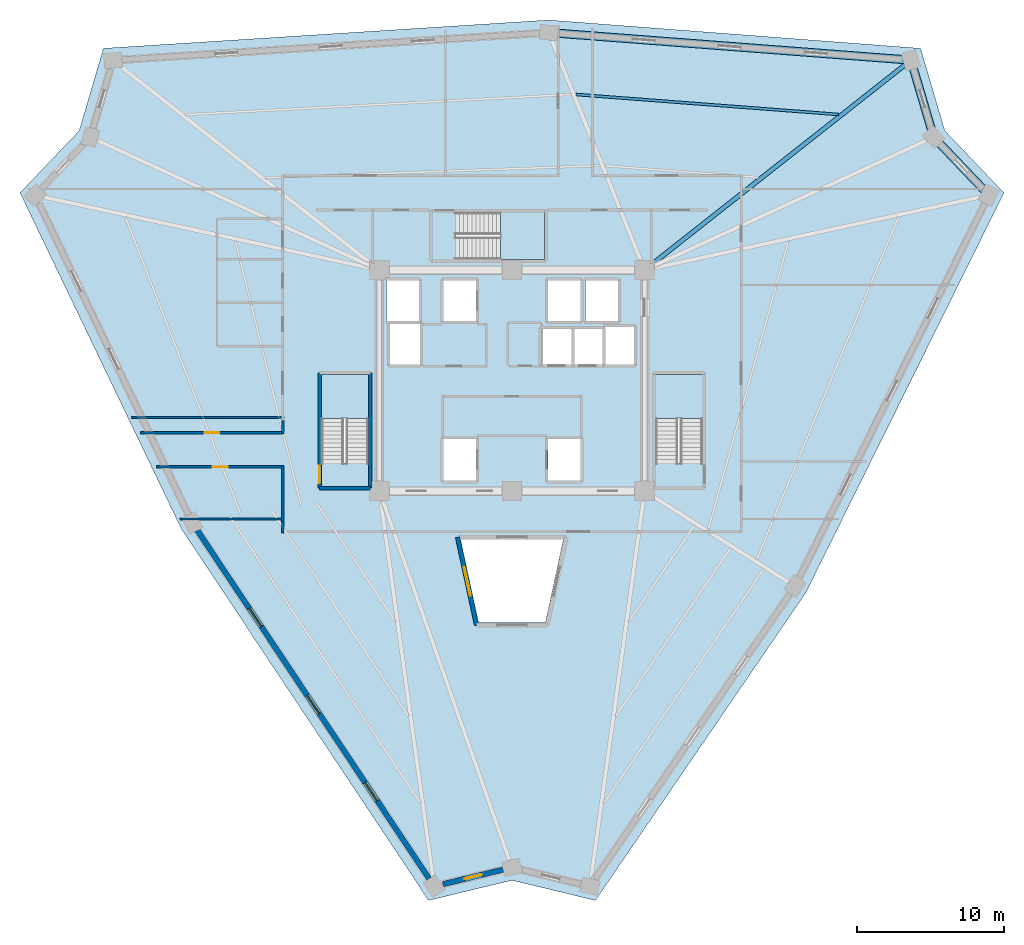
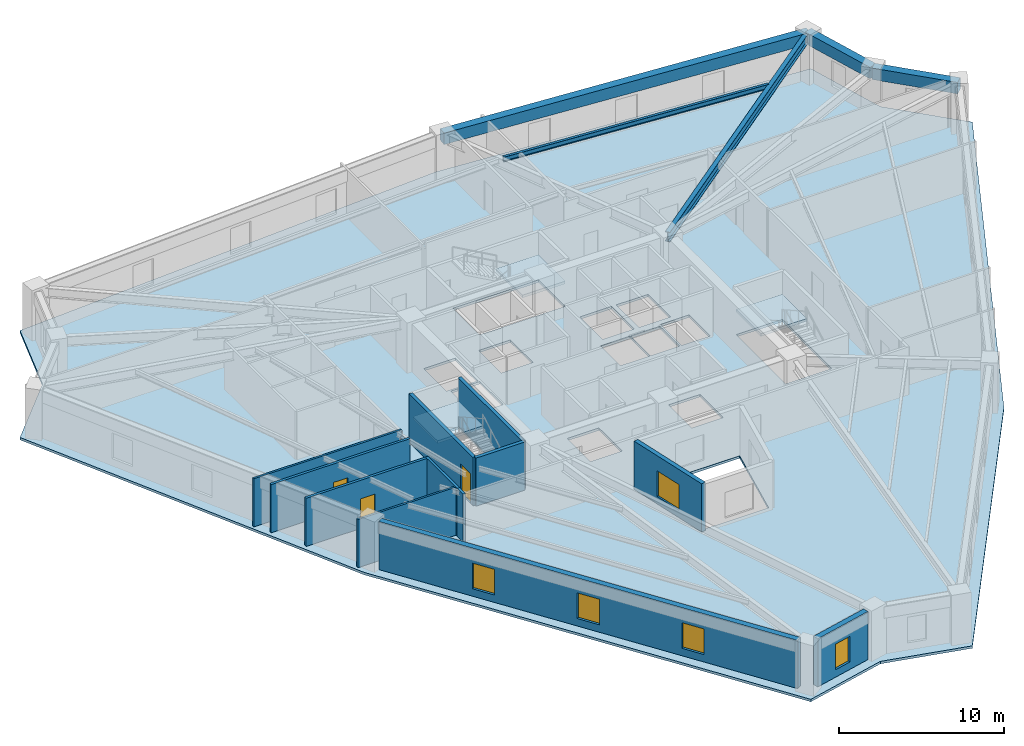
# One storey, part 2 of 8: 13 walls, 5 beams, 5 windows, 4 slabs, 3 doors, 8 openings, 3 elements without a shape of their own.
"""IFC4 building model written with IfcOpenShell, lengths in metres."""

from ifc_helpers import new_model, si_unit, direction, frame, frame_2d, origin, origin_2d, place, context, subcontext, project, spatial, polyline, rectangle, i_section, outline, extrude, source, transform, mapped, material, layer, layer_set, material_profile, profile_set, type_object, element, fill, aggregate, save


model = new_model("IFC4")

# Units and contexts
model_context = context("Model", 3, precision=1e-05, world=origin(), true_north=direction((0.0, 1.0)))
body_context = subcontext(model_context, "Body", "Model", "MODEL_VIEW")
ifc_project = project(units=[si_unit("LENGTHUNIT", "METRE"), si_unit("AREAUNIT", "SQUARE_METRE"), si_unit("VOLUMEUNIT", "CUBIC_METRE"), si_unit("PLANEANGLEUNIT", "RADIAN"), si_unit("MASSUNIT", "GRAM", prefix="KILO")], contexts=[model_context])

# Site, building, storey
site_placement = place(None, origin())
site = spatial("IfcSite", under=ifc_project, at=site_placement, CompositionType="ELEMENT")
building_placement = place(site_placement, origin())
building = spatial("IfcBuilding", under=site, at=building_placement, Name="Liaohun Quay Tower", CompositionType="ELEMENT")
storey_placement = place(building_placement, frame((0.0, 0.0, 240.0)))
storey = spatial("IfcBuildingStorey", under=building, at=storey_placement, Name="L62", CompositionType="ELEMENT", Elevation=240.0)

# Beams
ifc_material_1 = material(Name="Steel Q355D", Category="steel")
ifc_material_profile_1 = material_profile(ifc_material_1, i_section(OverallWidth=0.300048828125, OverallDepth=0.699951171875, WebThickness=0.012939453125, FlangeThickness=0.02392578125, at=origin_2d()), Name="HN700x300x13x24")
ifc_profile_set_1 = profile_set([ifc_material_profile_1], Name="Steel Q355D")
beam_type_1 = type_object("IfcBeamType", Name="BM-RAD-U1", PredefinedType="BEAM", material=ifc_profile_set_1)
shared_shape_1 = source(origin(), body_context, "Body", "SweptSolid", [
    extrude(i_section(OverallWidth=0.300048828125, OverallDepth=0.699951171875, WebThickness=0.012939453125, FlangeThickness=0.02392578125, at=origin_2d()), origin(), (0.0, 0.0, 1.0), 23.018310546875),
])
beam_1_placement = place(storey_placement, frame((69.0, 61.5, 3.219970703125), z_axis=(0.785466672961, 0.618903955123, 0.0), x_axis=(-0.618903955123, 0.785466672961, 0.0)))
element("IfcBeam", 1, at=beam_1_placement, inside=storey, type_object=beam_type_1, Name="L62 Radial Primary Girder CC4-PC07", PredefinedType="BEAM", context=body_context, shape_type="MappedRepresentation", body=[
    mapped(shared_shape_1, transform((0.0, 0.0, 0.0), x_axis=(1.0, 0.0, 0.0), y_axis=(0.0, 1.0, 0.0), z_axis=(0.0, 0.0, 1.0), scale=1.0)),
])
ifc_material_profile_2 = material_profile(ifc_material_1, i_section(OverallWidth=0.175048828125, OverallDepth=0.35009765625, WebThickness=0.007080078125, FlangeThickness=0.010986328125, at=origin_2d()), Name="HN350x175x7x11")
ifc_profile_set_2 = profile_set([ifc_material_profile_2], Name="Steel Q355D")
beam_type_2 = type_object("IfcBeamType", Name="BM-SEC-J3", PredefinedType="JOIST", material=ifc_profile_set_2)
shared_shape_2 = source(origin(), body_context, "Body", "SweptSolid", [
    extrude(i_section(OverallWidth=0.175048828125, OverallDepth=0.35009765625, WebThickness=0.007080078125, FlangeThickness=0.010986328125, at=origin_2d()), origin(), (0.0, 0.0, 1.0), 17.859375),
])
beam_2_placement = place(storey_placement, frame((64.35009765625, 73.416015625, 3.39501953125), z_axis=(0.997109470076, -0.075978317197, 0.0), x_axis=(0.075978317197, 0.997109470076, 0.0)))
element("IfcBeam", 2, at=beam_2_placement, inside=storey, type_object=beam_type_2, Name="L62 Wing Secondary Floor Joist SJ-09", PredefinedType="JOIST", context=body_context, shape_type="MappedRepresentation", body=[
    mapped(shared_shape_2, transform((0.0, 0.0, 0.0), x_axis=(1.0, 0.0, 0.0), y_axis=(0.0, 1.0, 0.0), z_axis=(0.0, 0.0, 1.0), scale=1.0)),
])
ifc_material_2 = material(Name="Precast concrete C50", Category="concrete")
ifc_material_profile_3 = material_profile(ifc_material_2, rectangle(XDim=0.550048828125, YDim=0.85009765625, at=origin_2d()), Name="RC550x850")
ifc_profile_set_3 = profile_set([ifc_material_profile_3], Name="Precast concrete C50")
beam_type_3 = type_object("IfcBeamType", Name="BM-SPD-Z3", PredefinedType="SPANDREL", material=ifc_profile_set_3)
shared_shape_3 = source(origin(), body_context, "Body", "SweptSolid", [
    extrude(rectangle(XDim=0.550048828125, YDim=0.85009765625, at=origin_2d()), origin(), (0.0, 0.0, 1.0), 24.660400390625),
])
beam_3_placement = place(storey_placement, frame((62.490966796875, 77.6201171875, 3.14501953125), z_axis=(0.997108338578, -0.075993165076, 0.0), x_axis=(0.075993165076, 0.997108338578, 0.0)))
element("IfcBeam", 3, at=beam_3_placement, inside=storey, type_object=beam_type_3, Name="L62 Precast Spandrel Beam PC06-PC07", PredefinedType="SPANDREL", context=body_context, shape_type="MappedRepresentation", body=[
    mapped(shared_shape_3, transform((0.0, 0.0, 0.0), x_axis=(1.0, 0.0, 0.0), y_axis=(0.0, 1.0, 0.0), z_axis=(0.0, 0.0, 1.0), scale=1.0)),
])
shared_shape_4 = source(origin(), body_context, "Body", "SweptSolid", [
    extrude(rectangle(XDim=0.550048828125, YDim=0.85009765625, at=origin_2d()), origin(), (0.0, 0.0, 1.0), 5.444091796875),
])
beam_4_placement = place(storey_placement, frame((87.080078125, 75.74609375, 3.14501953125), z_axis=(0.28265429174, -0.959221846791, 0.0), x_axis=(0.959221846791, 0.28265429174, 0.0)))
element("IfcBeam", 4, at=beam_4_placement, inside=storey, type_object=beam_type_3, Name="L62 Precast Spandrel Beam PC07-PC08", PredefinedType="SPANDREL", context=body_context, shape_type="MappedRepresentation", body=[
    mapped(shared_shape_4, transform((0.0, 0.0, 0.0), x_axis=(1.0, 0.0, 0.0), y_axis=(0.0, 1.0, 0.0), z_axis=(0.0, 0.0, 1.0), scale=1.0)),
])
shared_shape_5 = source(origin(), body_context, "Body", "SweptSolid", [
    extrude(rectangle(XDim=0.550048828125, YDim=0.85009765625, at=origin_2d()), origin(), (0.0, 0.0, 1.0), 5.437255859375),
])
beam_5_placement = place(storey_placement, frame((88.618896484375, 70.52392578125, 3.14501953125), z_axis=(0.689332195413, -0.72444539088, 0.0), x_axis=(0.72444539088, 0.689332195413, 0.0)))
element("IfcBeam", 5, at=beam_5_placement, inside=storey, type_object=beam_type_3, Name="L62 Precast Spandrel Beam PC08-PC09", PredefinedType="SPANDREL", context=body_context, shape_type="MappedRepresentation", body=[
    mapped(shared_shape_5, transform((0.0, 0.0, 0.0), x_axis=(1.0, 0.0, 0.0), y_axis=(0.0, 1.0, 0.0), z_axis=(0.0, 0.0, 1.0), scale=1.0)),
])

# Stair, slab
ifc_material_3 = material(Name="Concrete C45", Category="concrete")
stair_type = type_object("IfcStairType", Name="STR-CORE-OFF", PredefinedType="HALF_TURN_STAIR", material=ifc_material_3)
stair_1_placement = place(storey_placement, origin())
stair_1 = element("IfcStair", 6, at=stair_1_placement, inside=storey, type_object=stair_type, Name="L62 Smokeproof Core Exit Stair ST-1", PredefinedType="HALF_TURN_STAIR")
ifc_layer_1 = layer(ifc_material_3, 0.199951171875, Name="Concrete C45", Category="concrete")
ifc_layer_set_1 = layer_set([ifc_layer_1], Name="Concrete C45")
slab_type_1 = type_object("IfcSlabType", Name="SLB-LND-200", PredefinedType="LANDING", material=ifc_layer_set_1)
slab_1_placement = place(storey_placement, frame((0.0, 0.0, 1.675048828125)))
slab_1 = element("IfcSlab", 7, at=slab_1_placement, type_object=slab_type_1, Name="ST-1 landing 1", PredefinedType="LANDING", context=body_context, shape_type="SweptSolid", body=[
    extrude(outline(polyline([(50.280029296875, 51.429931640625), (50.280029296875, 54.419921875), (47.0400390625, 54.419921875), (47.0400390625, 51.429931640625), (50.280029296875, 51.429931640625)])), origin(), (0.0, 0.0, 1.0), 0.199951171875),
])
aggregate(stair_1, [slab_1])

stair_2_placement = place(storey_placement, origin())
stair_2 = element("IfcStair", 8, at=stair_2_placement, inside=storey, type_object=stair_type, Name="L62 Smokeproof Core Exit Stair ST-2", PredefinedType="HALF_TURN_STAIR")
slab_2_placement = place(storey_placement, frame((0.0, 0.0, 1.675048828125)))
slab_2 = element("IfcSlab", 9, at=slab_2_placement, type_object=slab_type_1, Name="ST-2 landing 1", PredefinedType="LANDING", context=body_context, shape_type="SweptSolid", body=[
    extrude(outline(polyline([(72.9599609375, 51.429931640625), (72.9599609375, 54.419921875), (69.719970703125, 54.419921875), (69.719970703125, 51.429931640625), (72.9599609375, 51.429931640625)])), origin(), (0.0, 0.0, 1.0), 0.199951171875),
])
aggregate(stair_2, [slab_2])

stair_3_placement = place(storey_placement, origin())
stair_3 = element("IfcStair", 10, at=stair_3_placement, inside=storey, type_object=stair_type, Name="L62 Smokeproof Core Exit Stair ST-3", PredefinedType="HALF_TURN_STAIR")
slab_3_placement = place(storey_placement, frame((0.0, 0.0, 1.675048828125)))
slab_3 = element("IfcSlab", 11, at=slab_3_placement, type_object=slab_type_1, Name="ST-3 landing 1", PredefinedType="LANDING", context=body_context, shape_type="SweptSolid", body=[
    extrude(outline(polyline([(59.22998046875, 62.199951171875), (62.219970703125, 62.199951171875), (62.219970703125, 65.43994140625), (59.22998046875, 65.43994140625), (59.22998046875, 62.199951171875)])), origin(), (0.0, 0.0, 1.0), 0.199951171875),
])
aggregate(stair_3, [slab_3])

# Slab
ifc_layer_2 = layer(ifc_material_3, 0.179931640625, Name="Concrete C45", Category="concrete")
ifc_layer_set_2 = layer_set([ifc_layer_2], Name="Concrete C45")
slab_type_2 = type_object("IfcSlabType", Name="SLB-OFF-180", PredefinedType="FLOOR", material=ifc_layer_set_2)
slab_4_placement = place(storey_placement, frame((0.0, 0.0, -0.179931640625)))
element("IfcSlab", 12, at=slab_4_placement, inside=storey, type_object=slab_type_2, Name="L62 Structural Floor Slab", PredefinedType="FLOOR", context=body_context, shape_type="SweptSolid", body=[
    extrude(outline(polyline([(54.3369140625, 18.7109375), (60.0, 20.0791015625), (65.6630859375, 18.7109375), (79.945068359375, 39.60302734375), (93.39306640625, 66.739990234375), (89.3759765625, 70.9609375), (87.72998046875, 76.549072265625), (62.49609375, 78.471923828125), (32.27001953125, 76.549072265625), (30.6240234375, 70.9609375), (26.60693359375, 66.739990234375), (37.55908203125, 43.926025390625), (54.3369140625, 18.7109375)]), holes=[polyline([(63.48193359375, 43.199951171875), (56.51806640625, 43.199951171875), (57.737060546875, 37.56298828125), (62.262939453125, 37.56298828125), (63.48193359375, 43.199951171875)]), polyline([(57.56005859375, 47.2099609375), (57.56005859375, 50.030029296875), (55.340087890625, 50.030029296875), (55.340087890625, 47.2099609375), (57.56005859375, 47.2099609375)]), polyline([(50.280029296875, 54.419921875), (47.0400390625, 54.419921875), (47.0400390625, 48.409912109375), (50.280029296875, 48.409912109375), (50.280029296875, 54.419921875)]), polyline([(53.760009765625, 55.090087890625), (53.760009765625, 57.909912109375), (51.7099609375, 57.909912109375), (51.7099609375, 55.090087890625), (53.760009765625, 55.090087890625)]), polyline([(53.7099609375, 58.0400390625), (53.7099609375, 60.7900390625), (51.489990234375, 60.7900390625), (51.489990234375, 58.0400390625), (53.7099609375, 58.0400390625)]), polyline([(57.56005859375, 58.0400390625), (57.56005859375, 60.7900390625), (55.340087890625, 60.7900390625), (55.340087890625, 58.0400390625), (57.56005859375, 58.0400390625)]), polyline([(62.219970703125, 62.199951171875), (62.219970703125, 65.43994140625), (56.2099609375, 65.43994140625), (56.2099609375, 62.199951171875), (62.219970703125, 62.199951171875)]), polyline([(64.659912109375, 50.030029296875), (62.43994140625, 50.030029296875), (62.43994140625, 47.2099609375), (64.659912109375, 47.2099609375), (64.659912109375, 50.030029296875)]), polyline([(72.9599609375, 54.419921875), (69.719970703125, 54.419921875), (69.719970703125, 48.409912109375), (72.9599609375, 48.409912109375), (72.9599609375, 54.419921875)]), polyline([(64.06005859375, 55.090087890625), (64.06005859375, 57.510009765625), (61.989990234375, 57.510009765625), (61.989990234375, 55.090087890625), (64.06005859375, 55.090087890625)]), polyline([(66.159912109375, 55.090087890625), (66.159912109375, 57.510009765625), (64.090087890625, 57.510009765625), (64.090087890625, 55.090087890625), (66.159912109375, 55.090087890625)]), polyline([(68.2900390625, 55.090087890625), (68.2900390625, 57.659912109375), (66.2900390625, 57.659912109375), (66.2900390625, 55.090087890625), (68.2900390625, 55.090087890625)]), polyline([(64.659912109375, 58.0400390625), (64.659912109375, 60.7900390625), (62.43994140625, 60.7900390625), (62.43994140625, 58.0400390625), (64.659912109375, 58.0400390625)]), polyline([(67.2099609375, 58.0400390625), (67.2099609375, 60.7900390625), (64.989990234375, 60.7900390625), (64.989990234375, 58.0400390625), (67.2099609375, 58.0400390625)])]), origin(), (0.0, 0.0, 1.0), 0.179931640625),
])

# Wall, opening, window
ifc_material_4 = material(Name="Concrete C50", Category="concrete")
ifc_layer_3 = layer(ifc_material_4, 0.300048828125, Name="Concrete C50", Category="concrete")
ifc_layer_set_3 = layer_set([ifc_layer_3], Name="Concrete C50")
wall_type_1 = type_object("IfcWallType", Name="WAL-ATR-300", PredefinedType="SOLIDWALL", material=ifc_layer_set_3)
wall_1_placement = place(storey_placement, frame((57.60009765625, 37.39306640625, 0.0), z_axis=(0.0, 0.0, 1.0), x_axis=(-0.211469886749, 0.977384513382, 0.0)))
wall_1 = element("IfcWall", 13, at=wall_1_placement, inside=storey, type_object=wall_type_1, Name="L62 Atrium Fire Compartment Wall 1", PredefinedType="SOLIDWALL", context=body_context, shape_type="SweptSolid", body=[
    extrude(rectangle(XDim=6.115234375, YDim=0.300048828125, at=frame_2d((3.0576171875, 0.0))), origin(), (0.0, 0.0, 1.0), 3.570068359375),
])
shared_shape_6 = source(origin(), body_context, "Body", "SweptSolid", [
    extrude(rectangle(XDim=2.0, YDim=1.89990234375, at=frame_2d((1.0, 0.949951171875))), frame((0.0, 0.159912109375, 0.0), z_axis=(0.0, -1.0, 0.0), x_axis=(1.0, 0.0, 0.0)), (0.0, 0.0, 1.0), 0.320068359375),
])
opening_1_placement = place(wall_1_placement, frame((2.05810546875, 0.0, 0.550048828125)))
opening_1 = element("IfcOpeningElement", 14, at=opening_1_placement, cuts=wall_1, Name="Opening W07", PredefinedType="OPENING", context=body_context, shape_type="MappedRepresentation", body=[
    mapped(shared_shape_6, transform((0.0, 0.0, 0.0), x_axis=(1.0, 0.0, 0.0), y_axis=(0.0, 1.0, 0.0), z_axis=(0.0, 0.0, 1.0), scale=1.0)),
])
ifc_material_5 = material(Name="Class A 180-min fire-resistant insulated glazing", Category="glass")
window_type_1 = type_object("IfcWindowType", Name="WIN-ATR-FIR", PartitioningType="DOUBLE_PANEL_VERTICAL", PredefinedType="WINDOW", material=ifc_material_5)
shared_shape_7 = source(origin(), body_context, "Body", "SweptSolid", [
    extrude(rectangle(XDim=2.0, YDim=1.89990234375, at=frame_2d((1.0, 0.949951171875))), frame((0.0, 0.030029296875, 0.0), z_axis=(0.0, -1.0, 0.0), x_axis=(1.0, 0.0, 0.0)), (0.0, 0.0, 1.0), 0.06005859375),
])
window_1_placement = place(opening_1_placement, origin())
window_1 = element("IfcWindow", 15, at=window_1_placement, inside=storey, type_object=window_type_1, Name="L62 Atrium Fire-Resistant Glazing W07-1", OverallHeight=1.89990234375, OverallWidth=2.0, PartitioningType="DOUBLE_PANEL_VERTICAL", PredefinedType="WINDOW", context=body_context, shape_type="MappedRepresentation", body=[
    mapped(shared_shape_7, transform((0.0, 0.0, 0.0), x_axis=(1.0, 0.0, 0.0), y_axis=(0.0, 1.0, 0.0), z_axis=(0.0, 0.0, 1.0), scale=1.0)),
])
fill(opening_1, window_1)

# Wall, openings, windows
ifc_material_6 = material(Name="Precast concrete C50 insulated sandwich", Category="concrete")
ifc_layer_4 = layer(ifc_material_6, 0.3798828125, Name="Precast concrete C50 insulated sandwich", Category="concrete")
ifc_layer_set_4 = layer_set([ifc_layer_4], Name="Precast concrete C50 insulated sandwich")
wall_type_2 = type_object("IfcWallType", Name="WAL-EXT-Z34", PredefinedType="SOLIDWALL", material=ifc_layer_set_4)
wall_2_placement = place(storey_placement, frame((38.64111328125, 43.8349609375, 0.0), z_axis=(0.0, 0.0, 1.0), x_axis=(0.553942197413, -0.83255512846, 0.0)))
wall_2 = element("IfcWall", 16, at=wall_2_placement, inside=storey, type_object=wall_type_2, Name="L62 Brutalist Precast Pier Wall 11", PredefinedType="SOLIDWALL", context=body_context, shape_type="SweptSolid", body=[
    extrude(rectangle(XDim=28.401611328125, YDim=0.3798828125, at=frame_2d((14.20068359375, 0.0))), origin(), (0.0, 0.0, 1.0), 3.570068359375),
])
shared_shape_8 = source(origin(), body_context, "Body", "SweptSolid", [
    extrude(rectangle(XDim=1.5, YDim=1.89990234375, at=frame_2d((0.75, 0.949951171875))), frame((0.0, 0.199951171875, 0.0), z_axis=(0.0, -1.0, 0.0), x_axis=(1.0, 0.0, 0.0)), (0.0, 0.0, 1.0), 0.39990234375),
])
opening_2_placement = place(wall_2_placement, frame((6.35009765625, 0.0, 0.550048828125)))
opening_2 = element("IfcOpeningElement", 17, at=opening_2_placement, cuts=wall_2, Name="Opening W03", PredefinedType="OPENING", context=body_context, shape_type="MappedRepresentation", body=[
    mapped(shared_shape_8, transform((0.0, 0.0, 0.0), x_axis=(1.0, 0.0, 0.0), y_axis=(0.0, 1.0, 0.0), z_axis=(0.0, 0.0, 1.0), scale=1.0)),
])
opening_3_placement = place(wall_2_placement, frame((13.450927734375, 0.0, 0.550048828125)))
opening_3 = element("IfcOpeningElement", 18, at=opening_3_placement, cuts=wall_2, Name="Opening W03", PredefinedType="OPENING", context=body_context, shape_type="MappedRepresentation", body=[
    mapped(shared_shape_8, transform((0.0, 0.0, 0.0), x_axis=(1.0, 0.0, 0.0), y_axis=(0.0, 1.0, 0.0), z_axis=(0.0, 0.0, 1.0), scale=1.0)),
])
opening_4_placement = place(wall_2_placement, frame((20.551025390625, 0.0, 0.550048828125)))
opening_4 = element("IfcOpeningElement", 19, at=opening_4_placement, cuts=wall_2, Name="Opening W03", PredefinedType="OPENING", context=body_context, shape_type="MappedRepresentation", body=[
    mapped(shared_shape_8, transform((0.0, 0.0, 0.0), x_axis=(1.0, 0.0, 0.0), y_axis=(0.0, 1.0, 0.0), z_axis=(0.0, 0.0, 1.0), scale=1.0)),
])
ifc_material_7 = material(Name="Triple Low-E argon glazing in thermally broken aluminium", Category="aluminium")
window_type_2 = type_object("IfcWindowType", Name="WIN-PUN-Z3", PartitioningType="DOUBLE_PANEL_VERTICAL", PredefinedType="WINDOW", material=ifc_material_7)
shared_shape_9 = source(origin(), body_context, "Body", "SweptSolid", [
    extrude(rectangle(XDim=1.5, YDim=1.89990234375, at=frame_2d((0.75, 0.949951171875))), frame((0.0, 0.030029296875, 0.0), z_axis=(0.0, -1.0, 0.0), x_axis=(1.0, 0.0, 0.0)), (0.0, 0.0, 1.0), 0.06005859375),
])
window_2_placement = place(opening_2_placement, origin())
window_2 = element("IfcWindow", 20, at=window_2_placement, inside=storey, type_object=window_type_2, Name="L62 Recessed Cold-Climate Punched Window 11-1", OverallHeight=1.89990234375, OverallWidth=1.5, PartitioningType="DOUBLE_PANEL_VERTICAL", PredefinedType="WINDOW", context=body_context, shape_type="MappedRepresentation", body=[
    mapped(shared_shape_9, transform((0.0, 0.0, 0.0), x_axis=(1.0, 0.0, 0.0), y_axis=(0.0, 1.0, 0.0), z_axis=(0.0, 0.0, 1.0), scale=1.0)),
])
fill(opening_2, window_2)
window_3_placement = place(opening_3_placement, origin())
window_3 = element("IfcWindow", 21, at=window_3_placement, inside=storey, type_object=window_type_2, Name="L62 Recessed Cold-Climate Punched Window 11-2", OverallHeight=1.89990234375, OverallWidth=1.5, PartitioningType="DOUBLE_PANEL_VERTICAL", PredefinedType="WINDOW", context=body_context, shape_type="MappedRepresentation", body=[
    mapped(shared_shape_9, transform((0.0, 0.0, 0.0), x_axis=(1.0, 0.0, 0.0), y_axis=(0.0, 1.0, 0.0), z_axis=(0.0, 0.0, 1.0), scale=1.0)),
])
fill(opening_3, window_3)
window_4_placement = place(opening_4_placement, origin())
window_4 = element("IfcWindow", 22, at=window_4_placement, inside=storey, type_object=window_type_2, Name="L62 Recessed Cold-Climate Punched Window 11-3", OverallHeight=1.89990234375, OverallWidth=1.5, PartitioningType="DOUBLE_PANEL_VERTICAL", PredefinedType="WINDOW", context=body_context, shape_type="MappedRepresentation", body=[
    mapped(shared_shape_9, transform((0.0, 0.0, 0.0), x_axis=(1.0, 0.0, 0.0), y_axis=(0.0, 1.0, 0.0), z_axis=(0.0, 0.0, 1.0), scale=1.0)),
])
fill(opening_4, window_4)

# Wall, opening, window
wall_3_placement = place(storey_placement, frame((55.31298828125, 19.821044921875, 0.0), z_axis=(0.0, 0.0, 1.0), x_axis=(0.972027407526, 0.234867449893, 0.0)))
wall_3 = element("IfcWall", 23, at=wall_3_placement, inside=storey, type_object=wall_type_2, Name="L62 Brutalist Precast Pier Wall 12", PredefinedType="SOLIDWALL", context=body_context, shape_type="SweptSolid", body=[
    extrude(rectangle(XDim=4.206787109375, YDim=0.3798828125, at=frame_2d((2.103515625, 0.0))), origin(), (0.0, 0.0, 1.0), 3.570068359375),
])
shared_shape_10 = source(origin(), body_context, "Body", "SweptSolid", [
    extrude(rectangle(XDim=1.199951171875, YDim=1.89990234375, at=frame_2d((0.60009765625, 0.949951171875))), frame((0.0, 0.199951171875, 0.0), z_axis=(0.0, -1.0, 0.0), x_axis=(1.0, 0.0, 0.0)), (0.0, 0.0, 1.0), 0.39990234375),
])
opening_5_placement = place(wall_3_placement, frame((1.5029296875, 0.0, 0.550048828125)))
opening_5 = element("IfcOpeningElement", 24, at=opening_5_placement, cuts=wall_3, Name="Opening W05", PredefinedType="OPENING", context=body_context, shape_type="MappedRepresentation", body=[
    mapped(shared_shape_10, transform((0.0, 0.0, 0.0), x_axis=(1.0, 0.0, 0.0), y_axis=(0.0, 1.0, 0.0), z_axis=(0.0, 0.0, 1.0), scale=1.0)),
])
ifc_material_8 = material(Name="Triple Low-E corner notch glazing", Category="glass")
window_type_3 = type_object("IfcWindowType", Name="WIN-NOTCH", PartitioningType="SINGLE_PANEL", PredefinedType="WINDOW", material=ifc_material_8)
shared_shape_11 = source(origin(), body_context, "Body", "SweptSolid", [
    extrude(rectangle(XDim=1.199951171875, YDim=1.89990234375, at=frame_2d((0.60009765625, 0.949951171875))), frame((0.0, 0.030029296875, 0.0), z_axis=(0.0, -1.0, 0.0), x_axis=(1.0, 0.0, 0.0)), (0.0, 0.0, 1.0), 0.06005859375),
])
window_5_placement = place(opening_5_placement, origin())
window_5 = element("IfcWindow", 25, at=window_5_placement, inside=storey, type_object=window_type_3, Name="L62 Corner Notch Window W05-12", OverallHeight=1.89990234375, OverallWidth=1.199951171875, PartitioningType="SINGLE_PANEL", PredefinedType="WINDOW", context=body_context, shape_type="MappedRepresentation", body=[
    mapped(shared_shape_11, transform((0.0, 0.0, 0.0), x_axis=(1.0, 0.0, 0.0), y_axis=(0.0, 1.0, 0.0), z_axis=(0.0, 0.0, 1.0), scale=1.0)),
])
fill(opening_5, window_5)

# Wall, opening, door
ifc_material_9 = material(Name="Autoclaved aerated concrete blockwork", Category="masonry")
ifc_layer_5 = layer(ifc_material_9, 0.179931640625, Name="Autoclaved aerated concrete blockwork", Category="masonry")
ifc_layer_set_5 = layer_set([ifc_layer_5], Name="Autoclaved aerated concrete blockwork")
wall_type_3 = type_object("IfcWallType", Name="WAL-PRT-COR", PredefinedType="PARTITIONING", material=ifc_layer_set_5)
wall_4_placement = place(storey_placement, frame((34.77392578125, 50.4599609375, 0.0), z_axis=(0.0, 0.0, 1.0), x_axis=(1.0, 0.0, 0.0)))
wall_4 = element("IfcWall", 26, at=wall_4_placement, inside=storey, type_object=wall_type_3, Name="L62 Interior Partition Wall 017", PredefinedType="PARTITIONING", context=body_context, shape_type="SweptSolid", body=[
    extrude(rectangle(XDim=9.736083984375, YDim=0.179931640625, at=frame_2d((4.8681640625, 0.0))), origin(), (0.0, 0.0, 1.0), 3.570068359375),
])
shared_shape_12 = source(origin(), body_context, "Body", "SweptSolid", [
    extrude(rectangle(XDim=1.0, YDim=2.199951171875, at=frame_2d((0.5, 1.10009765625))), frame((0.0, 0.099853515625, 0.0), z_axis=(0.0, -1.0, 0.0), x_axis=(1.0, 0.0, 0.0)), (0.0, 0.0, 1.0), 0.199951171875),
])
opening_6_placement = place(wall_4_placement, frame((4.367919921875, 0.0, 0.0)))
opening_6 = element("IfcOpeningElement", 27, at=opening_6_placement, cuts=wall_4, Name="Opening OD1", PredefinedType="OPENING", context=body_context, shape_type="MappedRepresentation", body=[
    mapped(shared_shape_12, transform((0.0, 0.0, 0.0), x_axis=(1.0, 0.0, 0.0), y_axis=(0.0, 1.0, 0.0), z_axis=(0.0, 0.0, 1.0), scale=1.0)),
])
ifc_material_10 = material(Name="Solid-core oak veneer timber leaf in steel frame", Category="steel")
door_type_1 = type_object("IfcDoorType", Name="DOR-OFF-1000", OperationType="NOTDEFINED", PredefinedType="DOOR", material=ifc_material_10)
shared_shape_13 = source(origin(), body_context, "Body", "SweptSolid", [
    extrude(rectangle(XDim=1.0, YDim=2.199951171875, at=frame_2d((0.5, 1.10009765625))), frame((0.0, 0.02490234375, 0.0), z_axis=(0.0, -1.0, 0.0), x_axis=(1.0, 0.0, 0.0)), (0.0, 0.0, 1.0), 0.050048828125),
])
door_1_placement = place(opening_6_placement, origin())
door_1 = element("IfcDoor", 28, at=door_1_placement, inside=storey, type_object=door_type_1, Name="L62 Digital Prototyping Laboratory 07 Door", OperationType="SINGLE_SWING_LEFT", OverallHeight=2.199951171875, OverallWidth=1.0, PredefinedType="DOOR", context=body_context, shape_type="MappedRepresentation", body=[
    mapped(shared_shape_13, transform((0.0, 0.0, 0.0), x_axis=(1.0, 0.0, 0.0), y_axis=(0.0, 1.0, 0.0), z_axis=(0.0, 0.0, 1.0), scale=1.0)),
])
fill(opening_6, door_1)

wall_5_placement = place(storey_placement, frame((44.510009765625, 48.139892578125, 0.0), z_axis=(0.0, 0.0, 1.0), x_axis=(-1.0, 0.0, 0.0)))
wall_5 = element("IfcWall", 29, at=wall_5_placement, inside=storey, type_object=wall_type_3, Name="L62 Interior Partition Wall 018", PredefinedType="PARTITIONING", context=body_context, shape_type="SweptSolid", body=[
    extrude(rectangle(XDim=8.6220703125, YDim=0.179931640625, at=frame_2d((4.31103515625, 0.0))), origin(), (0.0, 0.0, 1.0), 3.570068359375),
])
opening_7_placement = place(wall_5_placement, frame((3.81103515625, 0.0, 0.0)))
opening_7 = element("IfcOpeningElement", 30, at=opening_7_placement, cuts=wall_5, Name="Opening OD1", PredefinedType="OPENING", context=body_context, shape_type="MappedRepresentation", body=[
    mapped(shared_shape_12, transform((0.0, 0.0, 0.0), x_axis=(1.0, 0.0, 0.0), y_axis=(0.0, 1.0, 0.0), z_axis=(0.0, 0.0, 1.0), scale=1.0)),
])
door_2_placement = place(opening_7_placement, origin())
door_2 = element("IfcDoor", 31, at=door_2_placement, inside=storey, type_object=door_type_1, Name="L62 Engineering Model Workshop 08 Door", OperationType="SINGLE_SWING_RIGHT", OverallHeight=2.199951171875, OverallWidth=1.0, PredefinedType="DOOR", context=body_context, shape_type="MappedRepresentation", body=[
    mapped(shared_shape_13, transform((0.0, 0.0, 0.0), x_axis=(1.0, 0.0, 0.0), y_axis=(0.0, 1.0, 0.0), z_axis=(0.0, 0.0, 1.0), scale=1.0)),
])
fill(opening_7, door_2)

# Walls
wall_6_placement = place(storey_placement, frame((44.43994140625, 50.389892578125, 0.0), z_axis=(0.0, 0.0, 1.0), x_axis=(0.0, 1.0, 0.0)))
element("IfcWall", 32, at=wall_6_placement, inside=storey, type_object=wall_type_3, Name="L62 Interior Partition Wall 036", PredefinedType="PARTITIONING", context=body_context, shape_type="SweptSolid", body=[
    extrude(rectangle(XDim=0.89501953125, YDim=0.179931640625, at=frame_2d((0.447509765625, 0.0))), origin(), (0.0, 0.0, 1.0), 3.205078125),
])
wall_7_placement = place(storey_placement, frame((44.43994140625, 44.385009765625, 0.0), z_axis=(0.0, 0.0, 1.0), x_axis=(0.0, 1.0, 0.0)))
element("IfcWall", 33, at=wall_7_placement, inside=storey, type_object=wall_type_3, Name="L62 Interior Partition Wall 037", PredefinedType="PARTITIONING", context=body_context, shape_type="SweptSolid", body=[
    extrude(rectangle(XDim=3.824951171875, YDim=0.179931640625, at=frame_2d((1.91259765625, 0.0))), origin(), (0.0, 0.0, 1.0), 3.570068359375),
])
wall_8_placement = place(storey_placement, frame((44.43994140625, 43.669921875, 0.0), z_axis=(0.0, 0.0, 1.0), x_axis=(0.0, 1.0, 0.0)))
element("IfcWall", 34, at=wall_8_placement, inside=storey, type_object=wall_type_3, Name="L62 Interior Partition Wall 038", PredefinedType="PARTITIONING", context=body_context, shape_type="SweptSolid", body=[
    extrude(rectangle(XDim=0.715087890625, YDim=0.179931640625, at=frame_2d((0.357421875, 0.0))), origin(), (0.0, 0.0, 1.0), 3.570068359375),
])
ifc_material_11 = material(Name="Gypsum board on twin steel studs", Category="steel")
ifc_layer_6 = layer(ifc_material_11, 0.139892578125, Name="Gypsum board on twin steel studs", Category="steel")
ifc_layer_set_6 = layer_set([ifc_layer_6], Name="Gypsum board on twin steel studs")
wall_type_4 = type_object("IfcWallType", Name="WAL-PRT-OFF", PredefinedType="PARTITIONING", material=ifc_layer_set_6)
wall_9_placement = place(storey_placement, frame((44.5400390625, 44.60009765625, 0.0), z_axis=(0.0, 0.0, 1.0), x_axis=(-1.0, 0.0, 0.0)))
element("IfcWall", 35, at=wall_9_placement, inside=storey, type_object=wall_type_4, Name="L62 Interior Partition Wall 040", PredefinedType="PARTITIONING", context=body_context, shape_type="SweptSolid", body=[
    extrude(rectangle(XDim=7.06103515625, YDim=0.139892578125, at=frame_2d((3.530517578125, 0.0))), origin(), (0.0, 0.0, 1.0), 3.570068359375),
])
wall_10_placement = place(storey_placement, frame((44.5400390625, 51.5, 0.0), z_axis=(0.0, 0.0, 1.0), x_axis=(-1.0, 0.0, 0.0)))
element("IfcWall", 36, at=wall_10_placement, inside=storey, type_object=wall_type_4, Name="L62 Interior Partition Wall 041", PredefinedType="PARTITIONING", context=body_context, shape_type="SweptSolid", body=[
    extrude(rectangle(XDim=10.373046875, YDim=0.139892578125, at=frame_2d((5.1865234375, 0.0))), origin(), (0.0, 0.0, 1.0), 3.570068359375),
])
ifc_layer_7 = layer(ifc_material_4, 0.239990234375, Name="Concrete C50", Category="concrete")
ifc_layer_set_7 = layer_set([ifc_layer_7], Name="Concrete C50")
wall_type_5 = type_object("IfcWallType", Name="WAL-SHF-200", PredefinedType="SOLIDWALL", material=ifc_layer_set_7)
wall_11_placement = place(storey_placement, frame((46.93994140625, 46.699951171875, 0.0), z_axis=(0.0, 0.0, 1.0), x_axis=(1.0, 0.0, 0.0)))
element("IfcWall", 37, at=wall_11_placement, inside=storey, type_object=wall_type_5, Name="L62 Stairwell ST-1 Structural Core Wall S", PredefinedType="SOLIDWALL", context=body_context, shape_type="SweptSolid", body=[
    extrude(rectangle(XDim=3.43994140625, YDim=0.239990234375, at=frame_2d((1.719970703125, 0.0))), origin(), (0.0, 0.0, 1.0), 3.570068359375),
])
wall_12_placement = place(storey_placement, frame((50.3798828125, 46.699951171875, 0.0), z_axis=(0.0, 0.0, 1.0), x_axis=(0.0, 1.0, 0.0)))
element("IfcWall", 38, at=wall_12_placement, inside=storey, type_object=wall_type_5, Name="L62 Stairwell ST-1 Structural Core Wall E", PredefinedType="SOLIDWALL", context=body_context, shape_type="SweptSolid", body=[
    extrude(rectangle(XDim=7.820068359375, YDim=0.239990234375, at=frame_2d((3.91015625, 0.0))), origin(), (0.0, 0.0, 1.0), 3.570068359375),
])

# Wall, opening, door
wall_13_placement = place(storey_placement, frame((46.93994140625, 54.52001953125, 0.0), z_axis=(0.0, 0.0, 1.0), x_axis=(0.0, -1.0, 0.0)))
wall_13 = element("IfcWall", 39, at=wall_13_placement, inside=storey, type_object=wall_type_5, Name="L62 Stairwell ST-1 Structural Core Wall W", PredefinedType="SOLIDWALL", context=body_context, shape_type="SweptSolid", body=[
    extrude(rectangle(XDim=7.820068359375, YDim=0.239990234375, at=frame_2d((3.91015625, 0.0))), origin(), (0.0, 0.0, 1.0), 3.570068359375),
])
shared_shape_14 = source(origin(), body_context, "Body", "SweptSolid", [
    extrude(rectangle(XDim=1.199951171875, YDim=2.199951171875, at=frame_2d((0.60009765625, 1.10009765625))), frame((0.0, 0.1298828125, 0.0), z_axis=(0.0, -1.0, 0.0), x_axis=(1.0, 0.0, 0.0)), (0.0, 0.0, 1.0), 0.260009765625),
])
opening_8_placement = place(wall_13_placement, frame((6.300048828125, 0.0, 0.0)))
opening_8 = element("IfcOpeningElement", 40, at=opening_8_placement, cuts=wall_13, Name="Opening SD1", PredefinedType="OPENING", context=body_context, shape_type="MappedRepresentation", body=[
    mapped(shared_shape_14, transform((0.0, 0.0, 0.0), x_axis=(1.0, 0.0, 0.0), y_axis=(0.0, 1.0, 0.0), z_axis=(0.0, 0.0, 1.0), scale=1.0)),
])
ifc_material_12 = material(Name="Galvanised steel fire door", Category="steel")
door_type_2 = type_object("IfcDoorType", Name="DOR-STR-1200", OperationType="NOTDEFINED", PredefinedType="DOOR", material=ifc_material_12)
shared_shape_15 = source(origin(), body_context, "Body", "SweptSolid", [
    extrude(rectangle(XDim=1.199951171875, YDim=2.199951171875, at=frame_2d((0.60009765625, 1.10009765625))), frame((0.0, 0.02490234375, 0.0), z_axis=(0.0, -1.0, 0.0), x_axis=(1.0, 0.0, 0.0)), (0.0, 0.0, 1.0), 0.050048828125),
])
door_3_placement = place(opening_8_placement, origin())
door_3 = element("IfcDoor", 41, at=door_3_placement, inside=storey, type_object=door_type_2, Name="L62 Protected Stair ST-1 Fire Door", OperationType="SINGLE_SWING_LEFT", OverallHeight=2.199951171875, OverallWidth=1.199951171875, PredefinedType="DOOR", context=body_context, shape_type="MappedRepresentation", body=[
    mapped(shared_shape_15, transform((0.0, 0.0, 0.0), x_axis=(1.0, 0.0, 0.0), y_axis=(0.0, 1.0, 0.0), z_axis=(0.0, 0.0, 1.0), scale=1.0)),
])
fill(opening_8, door_3)

save(model, "model.ifc")
